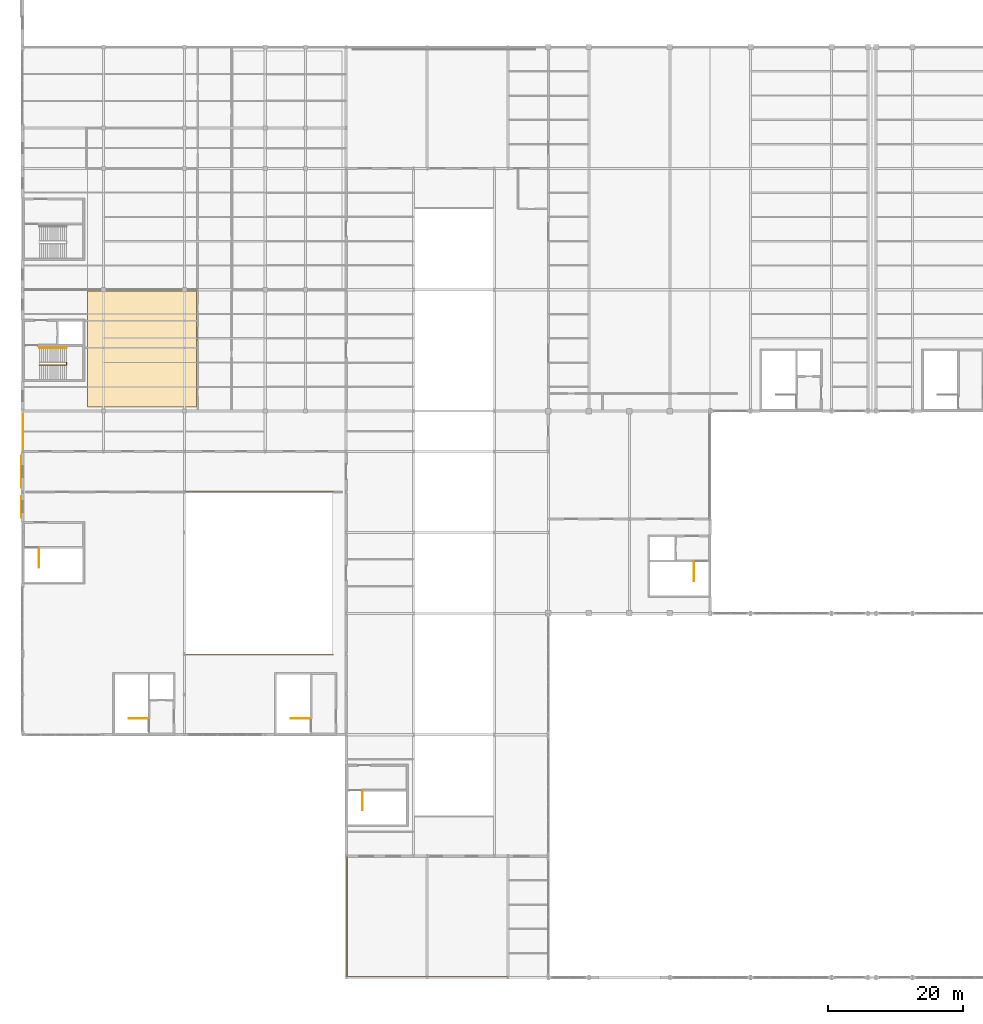
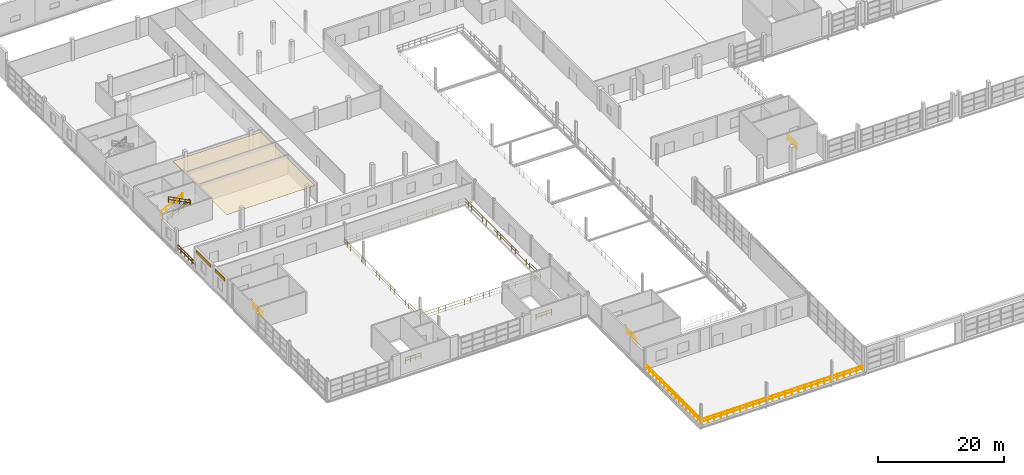
# One storey, part 143 of 147: 10 railings, 3 coverings.
"""IFC4 building model written with IfcOpenShell, lengths in metres."""

from ifc_helpers import new_model, si_unit, direction, frame, origin, origin_2d, place, context, subcontext, project, spatial, polyline, rectangle, circle, outline, extrude, material, layer, layer_set, type_object, element, save


model = new_model("IFC4")

# Units and contexts
model_context = context("Model", 3, precision=1e-05, world=origin(), true_north=direction((0.0, 1.0)))
body_context = subcontext(model_context, "Body", "Model", "MODEL_VIEW")
ifc_project = project(units=[si_unit("LENGTHUNIT", "METRE"), si_unit("AREAUNIT", "SQUARE_METRE"), si_unit("VOLUMEUNIT", "CUBIC_METRE"), si_unit("PLANEANGLEUNIT", "RADIAN"), si_unit("MASSUNIT", "GRAM", prefix="KILO")], contexts=[model_context])

# Site, building, storey
site_placement = place(None, origin())
site = spatial("IfcSite", under=ifc_project, at=site_placement, CompositionType="ELEMENT")
building_placement = place(site_placement, origin())
building = spatial("IfcBuilding", under=site, at=building_placement, Name="Zilviju Railside Exhibition Hall", CompositionType="ELEMENT")
storey_placement = place(building_placement, frame((0.0, 0.0, 8.39990234375)))
storey = spatial("IfcBuildingStorey", under=building, at=storey_placement, Name="L03", CompositionType="ELEMENT", Elevation=8.39990234375)

# Coverings
ifc_material_1 = material(Name="Perforated gypsum and mineral-wool acoustic ceiling", Category="masonry")
ifc_layer_1 = layer(ifc_material_1, 0.030029296875)
ifc_layer_set_1 = layer_set([ifc_layer_1], Name="Perforated gypsum and mineral-wool acoustic ceiling")
covering_type_1 = type_object("IfcCoveringType", Name="COV-CEIL-ACOUSTIC", PredefinedType="CEILING", material=ifc_layer_set_1)
covering_1_placement = place(storey_placement, frame((0.0, 0.0, 3.050048828125)))
element("IfcCovering", 1, at=covering_1_placement, inside=storey, type_object=covering_type_1, Name="Meeting Room 301 Acoustic Ceiling", PredefinedType="CEILING", context=body_context, shape_type="SweptSolid", body=[
    extrude(outline(polyline([(9.60009765625, 84.60009765625), (25.800048828125, 84.60009765625), (25.800048828125, 101.800048828125), (9.60009765625, 101.800048828125), (9.60009765625, 84.60009765625)])), origin(), (0.0, 0.0, 1.0), 0.030029296875),
])
ifc_material_2 = material(Name="Cobalt-blue and emerald glazed Jugendstils majolica frieze cladding", Category="masonry")
ifc_layer_2 = layer(ifc_material_2, 0.034912109375)
ifc_layer_set_2 = layer_set([ifc_layer_2], Name="Cobalt-blue and emerald glazed Jugendstils majolica frieze cladding")
covering_type_2 = type_object("IfcCoveringType", Name="COV-CLAD-MAJOLICA", PredefinedType="CLADDING", material=ifc_layer_set_2)
covering_2_placement = place(storey_placement, frame((-0.202392578125, 69.800048828125, 3.52490234375), z_axis=(0.0, 0.0, 1.0), x_axis=(0.0, 1.0, 0.0)))
element("IfcCovering", 2, at=covering_2_placement, inside=storey, type_object=covering_type_2, Name="Jugendstils Facade Cladding Band L03 029", PredefinedType="CLADDING", context=body_context, shape_type="SweptSolid", body=[
    extrude(rectangle(XDim=3.199951171875, YDim=0.034912109375, at=origin_2d()), origin(), (0.0, 0.0, 1.0), 0.550048828125),
])
covering_3_placement = place(storey_placement, frame((-0.202392578125, 75.0, 3.52490234375), z_axis=(0.0, 0.0, 1.0), x_axis=(0.0, 1.0, 0.0)))
element("IfcCovering", 3, at=covering_3_placement, inside=storey, type_object=covering_type_2, Name="Jugendstils Facade Cladding Band L03 030", PredefinedType="CLADDING", context=body_context, shape_type="SweptSolid", body=[
    extrude(rectangle(XDim=4.800048828125, YDim=0.034912109375, at=origin_2d()), origin(), (0.0, 0.0, 1.0), 0.550048828125),
])

# Railings
ifc_material_3 = material(Name="Wrought-iron Jugendstils terrace guardrail", Category="steel")
railing_type_1 = type_object("IfcRailingType", Name="RL-GUARD-1120", PredefinedType="GUARDRAIL", material=ifc_material_3)
railing_1_placement = place(storey_placement, frame((48.1201171875, 17.8798828125, 0.0)))
element("IfcRailing", 4, at=railing_1_placement, inside=storey, type_object=railing_type_1, Name="South Concourse Planted Roof Garden Perimeter Guardrail", PredefinedType="GUARDRAIL", context=body_context, shape_type="SweptSolid", body=[
    extrude(circle(Radius=0.02392578125, at=origin_2d()), frame((0.0, -0.021728515625, 1.09619140625), z_axis=(0.0, -1.0, 0.0), x_axis=(1.0, 0.0, 0.0)), (0.0, 0.0, 1.0), 17.716064453125),
    extrude(circle(Radius=0.02392578125, at=origin_2d()), frame((0.0, -0.021728515625, 0.56005859375), z_axis=(0.0, -1.0, 0.0), x_axis=(1.0, 0.0, 0.0)), (0.0, 0.0, 1.0), 17.716064453125),
    extrude(circle(Radius=0.02392578125, at=origin_2d()), frame((0.021728515625, -17.759765625, 1.09619140625), z_axis=(1.0, 0.0, 0.0), x_axis=(0.0, 1.0, 0.0)), (0.0, 0.0, 1.0), 29.716064453125),
    extrude(circle(Radius=0.02392578125, at=origin_2d()), frame((0.021728515625, -17.759765625, 0.56005859375), z_axis=(1.0, 0.0, 0.0), x_axis=(0.0, 1.0, 0.0)), (0.0, 0.0, 1.0), 29.716064453125),
    extrude(circle(Radius=0.02099609375, at=origin_2d()), origin(), (0.0, 0.0, 1.0), 1.1201171875),
    extrude(circle(Radius=0.02099609375, at=origin_2d()), frame((0.0, -1.18408203125, 0.0)), (0.0, 0.0, 1.0), 1.1201171875),
    extrude(circle(Radius=0.02099609375, at=origin_2d()), frame((0.0, -2.367919921875, 0.0)), (0.0, 0.0, 1.0), 1.1201171875),
    extrude(circle(Radius=0.02099609375, at=origin_2d()), frame((0.0, -3.552001953125, 0.0)), (0.0, 0.0, 1.0), 1.1201171875),
    extrude(circle(Radius=0.02099609375, at=origin_2d()), frame((0.0, -4.73583984375, 0.0)), (0.0, 0.0, 1.0), 1.1201171875),
    extrude(circle(Radius=0.02099609375, at=origin_2d()), frame((0.0, -5.919921875, 0.0)), (0.0, 0.0, 1.0), 1.1201171875),
    extrude(circle(Radius=0.02099609375, at=origin_2d()), frame((0.0, -7.10400390625, 0.0)), (0.0, 0.0, 1.0), 1.1201171875),
    extrude(circle(Radius=0.02099609375, at=origin_2d()), frame((0.0, -8.287841796875, 0.0)), (0.0, 0.0, 1.0), 1.1201171875),
    extrude(circle(Radius=0.02099609375, at=origin_2d()), frame((0.0, -9.471923828125, 0.0)), (0.0, 0.0, 1.0), 1.1201171875),
    extrude(circle(Radius=0.02099609375, at=origin_2d()), frame((0.0, -10.65576171875, 0.0)), (0.0, 0.0, 1.0), 1.1201171875),
    extrude(circle(Radius=0.02099609375, at=origin_2d()), frame((0.0, -11.83984375, 0.0)), (0.0, 0.0, 1.0), 1.1201171875),
    extrude(circle(Radius=0.02099609375, at=origin_2d()), frame((0.0, -13.02392578125, 0.0)), (0.0, 0.0, 1.0), 1.1201171875),
    extrude(circle(Radius=0.02099609375, at=origin_2d()), frame((0.0, -14.207763671875, 0.0)), (0.0, 0.0, 1.0), 1.1201171875),
    extrude(circle(Radius=0.02099609375, at=origin_2d()), frame((0.0, -15.391845703125, 0.0)), (0.0, 0.0, 1.0), 1.1201171875),
    extrude(circle(Radius=0.02099609375, at=origin_2d()), frame((0.0, -16.57568359375, 0.0)), (0.0, 0.0, 1.0), 1.1201171875),
    extrude(circle(Radius=0.02099609375, at=origin_2d()), frame((0.0, -17.759765625, 0.0)), (0.0, 0.0, 1.0), 1.1201171875),
    extrude(circle(Radius=0.02099609375, at=origin_2d()), frame((1.1904296875, -17.759765625, 0.0)), (0.0, 0.0, 1.0), 1.1201171875),
    extrude(circle(Radius=0.02099609375, at=origin_2d()), frame((2.380859375, -17.759765625, 0.0)), (0.0, 0.0, 1.0), 1.1201171875),
    extrude(circle(Radius=0.02099609375, at=origin_2d()), frame((3.5712890625, -17.759765625, 0.0)), (0.0, 0.0, 1.0), 1.1201171875),
    extrude(circle(Radius=0.02099609375, at=origin_2d()), frame((4.761474609375, -17.759765625, 0.0)), (0.0, 0.0, 1.0), 1.1201171875),
    extrude(circle(Radius=0.02099609375, at=origin_2d()), frame((5.951904296875, -17.759765625, 0.0)), (0.0, 0.0, 1.0), 1.1201171875),
    extrude(circle(Radius=0.02099609375, at=origin_2d()), frame((7.142333984375, -17.759765625, 0.0)), (0.0, 0.0, 1.0), 1.1201171875),
    extrude(circle(Radius=0.02099609375, at=origin_2d()), frame((8.332763671875, -17.759765625, 0.0)), (0.0, 0.0, 1.0), 1.1201171875),
    extrude(circle(Radius=0.02099609375, at=origin_2d()), frame((9.523193359375, -17.759765625, 0.0)), (0.0, 0.0, 1.0), 1.1201171875),
    extrude(circle(Radius=0.02099609375, at=origin_2d()), frame((10.713623046875, -17.759765625, 0.0)), (0.0, 0.0, 1.0), 1.1201171875),
    extrude(circle(Radius=0.02099609375, at=origin_2d()), frame((11.90380859375, -17.759765625, 0.0)), (0.0, 0.0, 1.0), 1.1201171875),
    extrude(circle(Radius=0.02099609375, at=origin_2d()), frame((13.09423828125, -17.759765625, 0.0)), (0.0, 0.0, 1.0), 1.1201171875),
    extrude(circle(Radius=0.02099609375, at=origin_2d()), frame((14.28466796875, -17.759765625, 0.0)), (0.0, 0.0, 1.0), 1.1201171875),
    extrude(circle(Radius=0.02099609375, at=origin_2d()), frame((15.47509765625, -17.759765625, 0.0)), (0.0, 0.0, 1.0), 1.1201171875),
    extrude(circle(Radius=0.02099609375, at=origin_2d()), frame((16.66552734375, -17.759765625, 0.0)), (0.0, 0.0, 1.0), 1.1201171875),
    extrude(circle(Radius=0.02099609375, at=origin_2d()), frame((17.85595703125, -17.759765625, 0.0)), (0.0, 0.0, 1.0), 1.1201171875),
    extrude(circle(Radius=0.02099609375, at=origin_2d()), frame((19.046142578125, -17.759765625, 0.0)), (0.0, 0.0, 1.0), 1.1201171875),
    extrude(circle(Radius=0.02099609375, at=origin_2d()), frame((20.236572265625, -17.759765625, 0.0)), (0.0, 0.0, 1.0), 1.1201171875),
    extrude(circle(Radius=0.02099609375, at=origin_2d()), frame((21.427001953125, -17.759765625, 0.0)), (0.0, 0.0, 1.0), 1.1201171875),
    extrude(circle(Radius=0.02099609375, at=origin_2d()), frame((22.617431640625, -17.759765625, 0.0)), (0.0, 0.0, 1.0), 1.1201171875),
    extrude(circle(Radius=0.02099609375, at=origin_2d()), frame((23.807861328125, -17.759765625, 0.0)), (0.0, 0.0, 1.0), 1.1201171875),
    extrude(circle(Radius=0.02099609375, at=origin_2d()), frame((24.998291015625, -17.759765625, 0.0)), (0.0, 0.0, 1.0), 1.1201171875),
    extrude(circle(Radius=0.02099609375, at=origin_2d()), frame((26.1884765625, -17.759765625, 0.0)), (0.0, 0.0, 1.0), 1.1201171875),
    extrude(circle(Radius=0.02099609375, at=origin_2d()), frame((27.37890625, -17.759765625, 0.0)), (0.0, 0.0, 1.0), 1.1201171875),
    extrude(circle(Radius=0.02099609375, at=origin_2d()), frame((28.5693359375, -17.759765625, 0.0)), (0.0, 0.0, 1.0), 1.1201171875),
    extrude(circle(Radius=0.02099609375, at=origin_2d()), frame((29.759765625, -17.759765625, 0.0)), (0.0, 0.0, 1.0), 1.1201171875),
])
railing_2_placement = place(storey_placement, frame((0.1201171875, 78.1201171875, 0.0)))
element("IfcRailing", 5, at=railing_2_placement, inside=storey, type_object=railing_type_1, Name="Congress North Skirt Planted Roof Garden Perimeter Guardrail", PredefinedType="GUARDRAIL", context=body_context, shape_type="SweptSolid", body=[
    extrude(circle(Radius=0.02392578125, at=origin_2d()), frame((0.0, 0.021728515625, 1.09619140625), z_axis=(0.0, 1.0, 0.0), x_axis=(-1.0, 0.0, 0.0)), (0.0, 0.0, 1.0), 5.716064453125),
    extrude(circle(Radius=0.02392578125, at=origin_2d()), frame((0.0, 0.021728515625, 0.56005859375), z_axis=(0.0, 1.0, 0.0), x_axis=(-1.0, 0.0, 0.0)), (0.0, 0.0, 1.0), 5.716064453125),
    extrude(circle(Radius=0.02099609375, at=origin_2d()), origin(), (0.0, 0.0, 1.0), 1.1201171875),
    extrude(circle(Radius=0.02099609375, at=origin_2d()), frame((0.0, 1.15185546875, 0.0)), (0.0, 0.0, 1.0), 1.1201171875),
    extrude(circle(Radius=0.02099609375, at=origin_2d()), frame((0.0, 2.303955078125, 0.0)), (0.0, 0.0, 1.0), 1.1201171875),
    extrude(circle(Radius=0.02099609375, at=origin_2d()), frame((0.0, 3.455810546875, 0.0)), (0.0, 0.0, 1.0), 1.1201171875),
    extrude(circle(Radius=0.02099609375, at=origin_2d()), frame((0.0, 4.60791015625, 0.0)), (0.0, 0.0, 1.0), 1.1201171875),
    extrude(circle(Radius=0.02099609375, at=origin_2d()), frame((0.0, 5.759765625, 0.0)), (0.0, 0.0, 1.0), 1.1201171875),
])
ifc_material_4 = material(Name="Brushed bronze tubular stair handrail", Category="steel")
railing_type_2 = type_object("IfcRailingType", Name="RL-HANDRAIL-920", PredefinedType="HANDRAIL", material=ifc_material_4)
railing_3_placement = place(storey_placement, frame((2.5, 93.340087890625, 0.0)))
element("IfcRailing", 6, at=railing_3_placement, inside=storey, type_object=railing_type_2, Name="Core C15 Organisers Wing South Stair Wall Handrail L03", PredefinedType="HANDRAIL", context=body_context, shape_type="SweptSolid", body=[
    extrude(circle(Radius=0.02392578125, at=origin_2d()), frame((0.019287109375, 0.0, 0.906005859375), z_axis=(0.88681272381, 0.0, 0.462128978628), x_axis=(0.0, 1.0, 0.0)), (0.0, 0.0, 1.0), 4.500732421875),
    extrude(circle(Radius=0.02099609375, at=origin_2d()), origin(), (0.0, 0.0, 1.0), 0.919921875),
    extrude(circle(Radius=0.02099609375, at=origin_2d()), frame((1.007568359375, 0.0, 0.52490234375)), (0.0, 0.0, 1.0), 0.919921875),
    extrude(circle(Radius=0.02099609375, at=origin_2d()), frame((2.01513671875, 0.0, 1.050048828125)), (0.0, 0.0, 1.0), 0.919921875),
    extrude(circle(Radius=0.02099609375, at=origin_2d()), frame((3.0224609375, 0.0, 1.5751953125)), (0.0, 0.0, 1.0), 0.919921875),
    extrude(circle(Radius=0.02099609375, at=origin_2d()), frame((4.030029296875, 0.0, 2.10009765625)), (0.0, 0.0, 1.0), 0.919921875),
])
ifc_material_5 = material(Name="Wrought-iron and laminated-glass atrium guardrail", Category="glass")
railing_type_3 = type_object("IfcRailingType", Name="RL-INT-GUARD-1120", PredefinedType="GUARDRAIL", material=ifc_material_5)
for number, where, name in (
    (7, (99.580078125, 58.800048828125, 0.0), "Core C10 Winter Concourse Court Top-Landing Well Guardrail L03"),
    (8, (50.419921875, 24.800048828125, 0.0), "Core C11 Winter Concourse Forecourt Top-Landing Well Guardrail L03"),
):
    element("IfcRailing", number, at=place(storey_placement, frame(where)), inside=storey, type_object=railing_type_3, Name=name, PredefinedType="GUARDRAIL", context=body_context, shape_type="SweptSolid", body=[
        extrude(circle(Radius=0.02392578125, at=origin_2d()), frame((0.0, 0.021728515625, 1.09619140625), z_axis=(0.0, 1.0, 0.0), x_axis=(-1.0, 0.0, 0.0)), (0.0, 0.0, 1.0), 2.80615234375),
        extrude(circle(Radius=0.02392578125, at=origin_2d()), frame((0.0, 0.021728515625, 0.56005859375), z_axis=(0.0, 1.0, 0.0), x_axis=(-1.0, 0.0, 0.0)), (0.0, 0.0, 1.0), 2.80615234375),
        extrude(circle(Radius=0.02099609375, at=origin_2d()), origin(), (0.0, 0.0, 1.0), 1.1201171875),
        extrude(circle(Radius=0.02099609375, at=origin_2d()), frame((0.0, 0.949951171875, 0.0)), (0.0, 0.0, 1.0), 1.1201171875),
        extrude(circle(Radius=0.02099609375, at=origin_2d()), frame((0.0, 1.89990234375, 0.0)), (0.0, 0.0, 1.0), 1.1201171875),
        extrude(circle(Radius=0.02099609375, at=origin_2d()), frame((0.0, 2.849853515625, 0.0)), (0.0, 0.0, 1.0), 1.1201171875),
    ])
for number, where, name in (
    (9, (15.800048828125, 38.419921875, 0.0), "Core C12 Congress Plenary SouthW Top-Landing Well Guardrail L03"),
    (10, (39.800048828125, 38.419921875, 0.0), "Core C13 Congress Plenary SouthE Top-Landing Well Guardrail L03"),
):
    element("IfcRailing", number, at=place(storey_placement, frame(where)), inside=storey, type_object=railing_type_3, Name=name, PredefinedType="GUARDRAIL", context=body_context, shape_type="SweptSolid", body=[
        extrude(circle(Radius=0.02392578125, at=origin_2d()), frame((0.021728515625, 0.0, 1.09619140625), z_axis=(1.0, 0.0, 0.0), x_axis=(0.0, 1.0, 0.0)), (0.0, 0.0, 1.0), 2.80615234375),
        extrude(circle(Radius=0.02392578125, at=origin_2d()), frame((0.021728515625, 0.0, 0.56005859375), z_axis=(1.0, 0.0, 0.0), x_axis=(0.0, 1.0, 0.0)), (0.0, 0.0, 1.0), 2.80615234375),
        extrude(circle(Radius=0.02099609375, at=origin_2d()), origin(), (0.0, 0.0, 1.0), 1.1201171875),
        extrude(circle(Radius=0.02099609375, at=origin_2d()), frame((0.949951171875, 0.0, 0.0)), (0.0, 0.0, 1.0), 1.1201171875),
        extrude(circle(Radius=0.02099609375, at=origin_2d()), frame((1.89990234375, 0.0, 0.0)), (0.0, 0.0, 1.0), 1.1201171875),
        extrude(circle(Radius=0.02099609375, at=origin_2d()), frame((2.849853515625, 0.0, 0.0)), (0.0, 0.0, 1.0), 1.1201171875),
    ])
railing_4_placement = place(storey_placement, frame((2.419921875, 60.800048828125, 0.0)))
element("IfcRailing", 11, at=railing_4_placement, inside=storey, type_object=railing_type_3, Name="Core C14 Congress Plenary West Top-Landing Well Guardrail L03", PredefinedType="GUARDRAIL", context=body_context, shape_type="SweptSolid", body=[
    extrude(circle(Radius=0.02392578125, at=origin_2d()), frame((0.0, 0.021728515625, 1.09619140625), z_axis=(0.0, 1.0, 0.0), x_axis=(-1.0, 0.0, 0.0)), (0.0, 0.0, 1.0), 2.80615234375),
    extrude(circle(Radius=0.02392578125, at=origin_2d()), frame((0.0, 0.021728515625, 0.56005859375), z_axis=(0.0, 1.0, 0.0), x_axis=(-1.0, 0.0, 0.0)), (0.0, 0.0, 1.0), 2.80615234375),
    extrude(circle(Radius=0.02099609375, at=origin_2d()), origin(), (0.0, 0.0, 1.0), 1.1201171875),
    extrude(circle(Radius=0.02099609375, at=origin_2d()), frame((0.0, 0.949951171875, 0.0)), (0.0, 0.0, 1.0), 1.1201171875),
    extrude(circle(Radius=0.02099609375, at=origin_2d()), frame((0.0, 1.89990234375, 0.0)), (0.0, 0.0, 1.0), 1.1201171875),
    extrude(circle(Radius=0.02099609375, at=origin_2d()), frame((0.0, 2.849853515625, 0.0)), (0.0, 0.0, 1.0), 1.1201171875),
])
railing_5_placement = place(storey_placement, frame((2.5, 91.25, 0.0)))
element("IfcRailing", 12, at=railing_5_placement, inside=storey, type_object=railing_type_3, Name="Core C15 Organisers Wing South Stair Well Guardrail L03", PredefinedType="GUARDRAIL", context=body_context, shape_type="SweptSolid", body=[
    extrude(circle(Radius=0.02392578125, at=origin_2d()), frame((0.019287109375, 0.0, 1.106201171875), z_axis=(0.88681272381, 0.0, 0.462128978628), x_axis=(0.0, 1.0, 0.0)), (0.0, 0.0, 1.0), 4.500732421875),
    extrude(circle(Radius=0.02392578125, at=origin_2d()), frame((0.019287109375, 0.0, 0.570068359375), z_axis=(0.88681272381, 0.0, 0.462128978628), x_axis=(0.0, 1.0, 0.0)), (0.0, 0.0, 1.0), 4.500732421875),
    extrude(circle(Radius=0.02392578125, at=origin_2d()), frame((4.030029296875, -0.021728515625, 3.1962890625), z_axis=(0.0, -1.0, 0.0), x_axis=(1.0, 0.0, 0.0)), (0.0, 0.0, 1.0), 0.356201171875),
    extrude(circle(Radius=0.02392578125, at=origin_2d()), frame((4.030029296875, -0.021728515625, 2.66015625), z_axis=(0.0, -1.0, 0.0), x_axis=(1.0, 0.0, 0.0)), (0.0, 0.0, 1.0), 0.356201171875),
    extrude(circle(Radius=0.02392578125, at=origin_2d()), frame((4.0107421875, -0.39990234375, 3.206298828125), z_axis=(-0.88681272381, 0.0, 0.462128978628), x_axis=(0.0, -1.0, 0.0)), (0.0, 0.0, 1.0), 4.500732421875),
    extrude(circle(Radius=0.02392578125, at=origin_2d()), frame((4.0107421875, -0.39990234375, 2.670166015625), z_axis=(-0.88681272381, 0.0, 0.462128978628), x_axis=(0.0, -1.0, 0.0)), (0.0, 0.0, 1.0), 4.500732421875),
    extrude(circle(Radius=0.02099609375, at=origin_2d()), origin(), (0.0, 0.0, 1.0), 1.1201171875),
    extrude(circle(Radius=0.02099609375, at=origin_2d()), frame((1.007568359375, 0.0, 0.52490234375)), (0.0, 0.0, 1.0), 1.1201171875),
    extrude(circle(Radius=0.02099609375, at=origin_2d()), frame((2.01513671875, 0.0, 1.050048828125)), (0.0, 0.0, 1.0), 1.1201171875),
    extrude(circle(Radius=0.02099609375, at=origin_2d()), frame((3.0224609375, 0.0, 1.5751953125)), (0.0, 0.0, 1.0), 1.1201171875),
    extrude(circle(Radius=0.02099609375, at=origin_2d()), frame((4.030029296875, 0.0, 2.10009765625)), (0.0, 0.0, 1.0), 1.1201171875),
    extrude(circle(Radius=0.02099609375, at=origin_2d()), frame((4.030029296875, -0.39990234375, 2.10009765625)), (0.0, 0.0, 1.0), 1.1201171875),
    extrude(circle(Radius=0.02099609375, at=origin_2d()), frame((3.0224609375, -0.39990234375, 2.625)), (0.0, 0.0, 1.0), 1.1201171875),
    extrude(circle(Radius=0.02099609375, at=origin_2d()), frame((2.01513671875, -0.39990234375, 3.150146484375)), (0.0, 0.0, 1.0), 1.1201171875),
    extrude(circle(Radius=0.02099609375, at=origin_2d()), frame((1.007568359375, -0.39990234375, 3.67529296875)), (0.0, 0.0, 1.0), 1.1201171875),
    extrude(circle(Radius=0.02099609375, at=origin_2d()), frame((0.0, -0.39990234375, 4.2001953125)), (0.0, 0.0, 1.0), 1.1201171875),
])
railing_6_placement = place(storey_placement, frame((23.8798828125, 47.8798828125, 0.0)))
element("IfcRailing", 13, at=railing_6_placement, inside=storey, type_object=railing_type_3, Name="Interior Atrium & Gallery Guardrail V4-AUD-BAL", PredefinedType="GUARDRAIL", context=body_context, shape_type="SweptSolid", body=[
    extrude(circle(Radius=0.02392578125, at=origin_2d()), frame((0.021728515625, 0.0, 1.09619140625), z_axis=(1.0, 0.0, 0.0), x_axis=(0.0, 1.0, 0.0)), (0.0, 0.0, 1.0), 22.196533203125),
    extrude(circle(Radius=0.02392578125, at=origin_2d()), frame((0.021728515625, 0.0, 0.56005859375), z_axis=(1.0, 0.0, 0.0), x_axis=(0.0, 1.0, 0.0)), (0.0, 0.0, 1.0), 22.196533203125),
    extrude(circle(Radius=0.02392578125, at=origin_2d()), frame((22.240234375, 0.021728515625, 1.09619140625), z_axis=(0.0, 1.0, 0.0), x_axis=(-1.0, 0.0, 0.0)), (0.0, 0.0, 1.0), 24.196533203125),
    extrude(circle(Radius=0.02392578125, at=origin_2d()), frame((22.240234375, 0.021728515625, 0.56005859375), z_axis=(0.0, 1.0, 0.0), x_axis=(-1.0, 0.0, 0.0)), (0.0, 0.0, 1.0), 24.196533203125),
    extrude(circle(Radius=0.02392578125, at=origin_2d()), frame((22.218505859375, 24.240234375, 1.09619140625), z_axis=(-1.0, 0.0, 0.0), x_axis=(0.0, -1.0, 0.0)), (0.0, 0.0, 1.0), 22.196533203125),
    extrude(circle(Radius=0.02392578125, at=origin_2d()), frame((22.218505859375, 24.240234375, 0.56005859375), z_axis=(-1.0, 0.0, 0.0), x_axis=(0.0, -1.0, 0.0)), (0.0, 0.0, 1.0), 22.196533203125),
    extrude(circle(Radius=0.02392578125, at=origin_2d()), frame((0.0, 24.218505859375, 1.09619140625), z_axis=(0.0, -1.0, 0.0), x_axis=(1.0, 0.0, 0.0)), (0.0, 0.0, 1.0), 24.196533203125),
    extrude(circle(Radius=0.02392578125, at=origin_2d()), frame((0.0, 24.218505859375, 0.56005859375), z_axis=(0.0, -1.0, 0.0), x_axis=(1.0, 0.0, 0.0)), (0.0, 0.0, 1.0), 24.196533203125),
    extrude(circle(Radius=0.02099609375, at=origin_2d()), origin(), (0.0, 0.0, 1.0), 1.1201171875),
    extrude(circle(Radius=0.02099609375, at=origin_2d()), frame((1.170654296875, 0.0, 0.0)), (0.0, 0.0, 1.0), 1.1201171875),
    extrude(circle(Radius=0.02099609375, at=origin_2d()), frame((2.341064453125, 0.0, 0.0)), (0.0, 0.0, 1.0), 1.1201171875),
    extrude(circle(Radius=0.02099609375, at=origin_2d()), frame((3.51171875, 0.0, 0.0)), (0.0, 0.0, 1.0), 1.1201171875),
    extrude(circle(Radius=0.02099609375, at=origin_2d()), frame((4.68212890625, 0.0, 0.0)), (0.0, 0.0, 1.0), 1.1201171875),
    extrude(circle(Radius=0.02099609375, at=origin_2d()), frame((5.852783203125, 0.0, 0.0)), (0.0, 0.0, 1.0), 1.1201171875),
    extrude(circle(Radius=0.02099609375, at=origin_2d()), frame((7.023193359375, 0.0, 0.0)), (0.0, 0.0, 1.0), 1.1201171875),
    extrude(circle(Radius=0.02099609375, at=origin_2d()), frame((8.19384765625, 0.0, 0.0)), (0.0, 0.0, 1.0), 1.1201171875),
    extrude(circle(Radius=0.02099609375, at=origin_2d()), frame((9.3642578125, 0.0, 0.0)), (0.0, 0.0, 1.0), 1.1201171875),
    extrude(circle(Radius=0.02099609375, at=origin_2d()), frame((10.534912109375, 0.0, 0.0)), (0.0, 0.0, 1.0), 1.1201171875),
    extrude(circle(Radius=0.02099609375, at=origin_2d()), frame((11.705322265625, 0.0, 0.0)), (0.0, 0.0, 1.0), 1.1201171875),
    extrude(circle(Radius=0.02099609375, at=origin_2d()), frame((12.8759765625, 0.0, 0.0)), (0.0, 0.0, 1.0), 1.1201171875),
    extrude(circle(Radius=0.02099609375, at=origin_2d()), frame((14.04638671875, 0.0, 0.0)), (0.0, 0.0, 1.0), 1.1201171875),
    extrude(circle(Radius=0.02099609375, at=origin_2d()), frame((15.217041015625, 0.0, 0.0)), (0.0, 0.0, 1.0), 1.1201171875),
    extrude(circle(Radius=0.02099609375, at=origin_2d()), frame((16.387451171875, 0.0, 0.0)), (0.0, 0.0, 1.0), 1.1201171875),
    extrude(circle(Radius=0.02099609375, at=origin_2d()), frame((17.55810546875, 0.0, 0.0)), (0.0, 0.0, 1.0), 1.1201171875),
    extrude(circle(Radius=0.02099609375, at=origin_2d()), frame((18.728515625, 0.0, 0.0)), (0.0, 0.0, 1.0), 1.1201171875),
    extrude(circle(Radius=0.02099609375, at=origin_2d()), frame((19.899169921875, 0.0, 0.0)), (0.0, 0.0, 1.0), 1.1201171875),
    extrude(circle(Radius=0.02099609375, at=origin_2d()), frame((21.069580078125, 0.0, 0.0)), (0.0, 0.0, 1.0), 1.1201171875),
    extrude(circle(Radius=0.02099609375, at=origin_2d()), frame((22.240234375, 0.0, 0.0)), (0.0, 0.0, 1.0), 1.1201171875),
    extrude(circle(Radius=0.02099609375, at=origin_2d()), frame((22.240234375, 1.154296875, 0.0)), (0.0, 0.0, 1.0), 1.1201171875),
    extrude(circle(Radius=0.02099609375, at=origin_2d()), frame((22.240234375, 2.30859375, 0.0)), (0.0, 0.0, 1.0), 1.1201171875),
    extrude(circle(Radius=0.02099609375, at=origin_2d()), frame((22.240234375, 3.462890625, 0.0)), (0.0, 0.0, 1.0), 1.1201171875),
    extrude(circle(Radius=0.02099609375, at=origin_2d()), frame((22.240234375, 4.6171875, 0.0)), (0.0, 0.0, 1.0), 1.1201171875),
    extrude(circle(Radius=0.02099609375, at=origin_2d()), frame((22.240234375, 5.771484375, 0.0)), (0.0, 0.0, 1.0), 1.1201171875),
    extrude(circle(Radius=0.02099609375, at=origin_2d()), frame((22.240234375, 6.92578125, 0.0)), (0.0, 0.0, 1.0), 1.1201171875),
    extrude(circle(Radius=0.02099609375, at=origin_2d()), frame((22.240234375, 8.080078125, 0.0)), (0.0, 0.0, 1.0), 1.1201171875),
    extrude(circle(Radius=0.02099609375, at=origin_2d()), frame((22.240234375, 9.234375, 0.0)), (0.0, 0.0, 1.0), 1.1201171875),
    extrude(circle(Radius=0.02099609375, at=origin_2d()), frame((22.240234375, 10.388671875, 0.0)), (0.0, 0.0, 1.0), 1.1201171875),
    extrude(circle(Radius=0.02099609375, at=origin_2d()), frame((22.240234375, 11.54296875, 0.0)), (0.0, 0.0, 1.0), 1.1201171875),
    extrude(circle(Radius=0.02099609375, at=origin_2d()), frame((22.240234375, 12.697265625, 0.0)), (0.0, 0.0, 1.0), 1.1201171875),
    extrude(circle(Radius=0.02099609375, at=origin_2d()), frame((22.240234375, 13.8515625, 0.0)), (0.0, 0.0, 1.0), 1.1201171875),
    extrude(circle(Radius=0.02099609375, at=origin_2d()), frame((22.240234375, 15.005859375, 0.0)), (0.0, 0.0, 1.0), 1.1201171875),
    extrude(circle(Radius=0.02099609375, at=origin_2d()), frame((22.240234375, 16.16015625, 0.0)), (0.0, 0.0, 1.0), 1.1201171875),
    extrude(circle(Radius=0.02099609375, at=origin_2d()), frame((22.240234375, 17.314453125, 0.0)), (0.0, 0.0, 1.0), 1.1201171875),
    extrude(circle(Radius=0.02099609375, at=origin_2d()), frame((22.240234375, 18.46875, 0.0)), (0.0, 0.0, 1.0), 1.1201171875),
    extrude(circle(Radius=0.02099609375, at=origin_2d()), frame((22.240234375, 19.623046875, 0.0)), (0.0, 0.0, 1.0), 1.1201171875),
    extrude(circle(Radius=0.02099609375, at=origin_2d()), frame((22.240234375, 20.77734375, 0.0)), (0.0, 0.0, 1.0), 1.1201171875),
    extrude(circle(Radius=0.02099609375, at=origin_2d()), frame((22.240234375, 21.931640625, 0.0)), (0.0, 0.0, 1.0), 1.1201171875),
    extrude(circle(Radius=0.02099609375, at=origin_2d()), frame((22.240234375, 23.0859375, 0.0)), (0.0, 0.0, 1.0), 1.1201171875),
    extrude(circle(Radius=0.02099609375, at=origin_2d()), frame((22.240234375, 24.240234375, 0.0)), (0.0, 0.0, 1.0), 1.1201171875),
    extrude(circle(Radius=0.02099609375, at=origin_2d()), frame((21.069580078125, 24.240234375, 0.0)), (0.0, 0.0, 1.0), 1.1201171875),
    extrude(circle(Radius=0.02099609375, at=origin_2d()), frame((19.899169921875, 24.240234375, 0.0)), (0.0, 0.0, 1.0), 1.1201171875),
    extrude(circle(Radius=0.02099609375, at=origin_2d()), frame((18.728515625, 24.240234375, 0.0)), (0.0, 0.0, 1.0), 1.1201171875),
    extrude(circle(Radius=0.02099609375, at=origin_2d()), frame((17.55810546875, 24.240234375, 0.0)), (0.0, 0.0, 1.0), 1.1201171875),
    extrude(circle(Radius=0.02099609375, at=origin_2d()), frame((16.387451171875, 24.240234375, 0.0)), (0.0, 0.0, 1.0), 1.1201171875),
    extrude(circle(Radius=0.02099609375, at=origin_2d()), frame((15.217041015625, 24.240234375, 0.0)), (0.0, 0.0, 1.0), 1.1201171875),
    extrude(circle(Radius=0.02099609375, at=origin_2d()), frame((14.04638671875, 24.240234375, 0.0)), (0.0, 0.0, 1.0), 1.1201171875),
    extrude(circle(Radius=0.02099609375, at=origin_2d()), frame((12.8759765625, 24.240234375, 0.0)), (0.0, 0.0, 1.0), 1.1201171875),
    extrude(circle(Radius=0.02099609375, at=origin_2d()), frame((11.705322265625, 24.240234375, 0.0)), (0.0, 0.0, 1.0), 1.1201171875),
    extrude(circle(Radius=0.02099609375, at=origin_2d()), frame((10.534912109375, 24.240234375, 0.0)), (0.0, 0.0, 1.0), 1.1201171875),
    extrude(circle(Radius=0.02099609375, at=origin_2d()), frame((9.3642578125, 24.240234375, 0.0)), (0.0, 0.0, 1.0), 1.1201171875),
    extrude(circle(Radius=0.02099609375, at=origin_2d()), frame((8.19384765625, 24.240234375, 0.0)), (0.0, 0.0, 1.0), 1.1201171875),
    extrude(circle(Radius=0.02099609375, at=origin_2d()), frame((7.023193359375, 24.240234375, 0.0)), (0.0, 0.0, 1.0), 1.1201171875),
    extrude(circle(Radius=0.02099609375, at=origin_2d()), frame((5.852783203125, 24.240234375, 0.0)), (0.0, 0.0, 1.0), 1.1201171875),
    extrude(circle(Radius=0.02099609375, at=origin_2d()), frame((4.68212890625, 24.240234375, 0.0)), (0.0, 0.0, 1.0), 1.1201171875),
    extrude(circle(Radius=0.02099609375, at=origin_2d()), frame((3.51171875, 24.240234375, 0.0)), (0.0, 0.0, 1.0), 1.1201171875),
    extrude(circle(Radius=0.02099609375, at=origin_2d()), frame((2.341064453125, 24.240234375, 0.0)), (0.0, 0.0, 1.0), 1.1201171875),
    extrude(circle(Radius=0.02099609375, at=origin_2d()), frame((1.170654296875, 24.240234375, 0.0)), (0.0, 0.0, 1.0), 1.1201171875),
    extrude(circle(Radius=0.02099609375, at=origin_2d()), frame((0.0, 24.240234375, 0.0)), (0.0, 0.0, 1.0), 1.1201171875),
    extrude(circle(Radius=0.02099609375, at=origin_2d()), frame((0.0, 23.0859375, 0.0)), (0.0, 0.0, 1.0), 1.1201171875),
    extrude(circle(Radius=0.02099609375, at=origin_2d()), frame((0.0, 21.931640625, 0.0)), (0.0, 0.0, 1.0), 1.1201171875),
    extrude(circle(Radius=0.02099609375, at=origin_2d()), frame((0.0, 20.77734375, 0.0)), (0.0, 0.0, 1.0), 1.1201171875),
    extrude(circle(Radius=0.02099609375, at=origin_2d()), frame((0.0, 19.623046875, 0.0)), (0.0, 0.0, 1.0), 1.1201171875),
    extrude(circle(Radius=0.02099609375, at=origin_2d()), frame((0.0, 18.46875, 0.0)), (0.0, 0.0, 1.0), 1.1201171875),
    extrude(circle(Radius=0.02099609375, at=origin_2d()), frame((0.0, 17.314453125, 0.0)), (0.0, 0.0, 1.0), 1.1201171875),
    extrude(circle(Radius=0.02099609375, at=origin_2d()), frame((0.0, 16.16015625, 0.0)), (0.0, 0.0, 1.0), 1.1201171875),
    extrude(circle(Radius=0.02099609375, at=origin_2d()), frame((0.0, 15.005859375, 0.0)), (0.0, 0.0, 1.0), 1.1201171875),
    extrude(circle(Radius=0.02099609375, at=origin_2d()), frame((0.0, 13.8515625, 0.0)), (0.0, 0.0, 1.0), 1.1201171875),
    extrude(circle(Radius=0.02099609375, at=origin_2d()), frame((0.0, 12.697265625, 0.0)), (0.0, 0.0, 1.0), 1.1201171875),
    extrude(circle(Radius=0.02099609375, at=origin_2d()), frame((0.0, 11.54296875, 0.0)), (0.0, 0.0, 1.0), 1.1201171875),
    extrude(circle(Radius=0.02099609375, at=origin_2d()), frame((0.0, 10.388671875, 0.0)), (0.0, 0.0, 1.0), 1.1201171875),
    extrude(circle(Radius=0.02099609375, at=origin_2d()), frame((0.0, 9.234375, 0.0)), (0.0, 0.0, 1.0), 1.1201171875),
    extrude(circle(Radius=0.02099609375, at=origin_2d()), frame((0.0, 8.080078125, 0.0)), (0.0, 0.0, 1.0), 1.1201171875),
    extrude(circle(Radius=0.02099609375, at=origin_2d()), frame((0.0, 6.92578125, 0.0)), (0.0, 0.0, 1.0), 1.1201171875),
    extrude(circle(Radius=0.02099609375, at=origin_2d()), frame((0.0, 5.771484375, 0.0)), (0.0, 0.0, 1.0), 1.1201171875),
    extrude(circle(Radius=0.02099609375, at=origin_2d()), frame((0.0, 4.6171875, 0.0)), (0.0, 0.0, 1.0), 1.1201171875),
    extrude(circle(Radius=0.02099609375, at=origin_2d()), frame((0.0, 3.462890625, 0.0)), (0.0, 0.0, 1.0), 1.1201171875),
    extrude(circle(Radius=0.02099609375, at=origin_2d()), frame((0.0, 2.30859375, 0.0)), (0.0, 0.0, 1.0), 1.1201171875),
    extrude(circle(Radius=0.02099609375, at=origin_2d()), frame((0.0, 1.154296875, 0.0)), (0.0, 0.0, 1.0), 1.1201171875),
])

save(model, "model.ifc")
